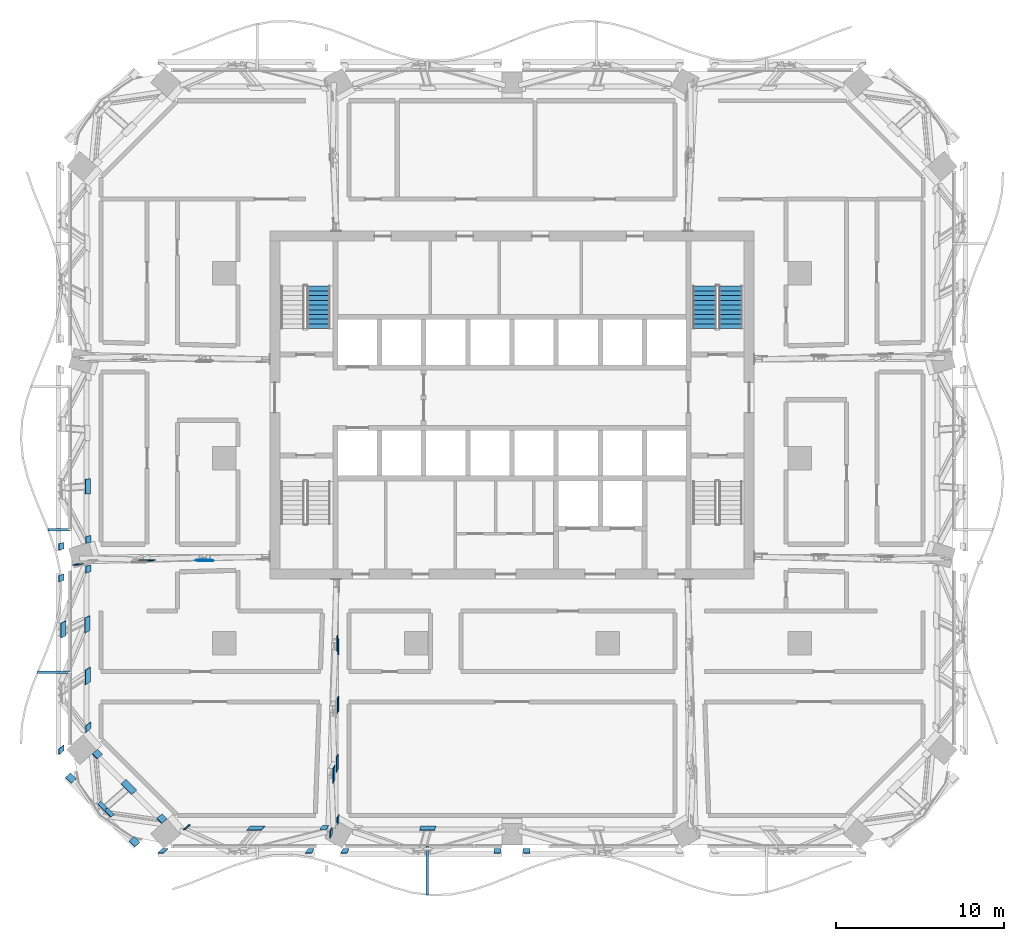
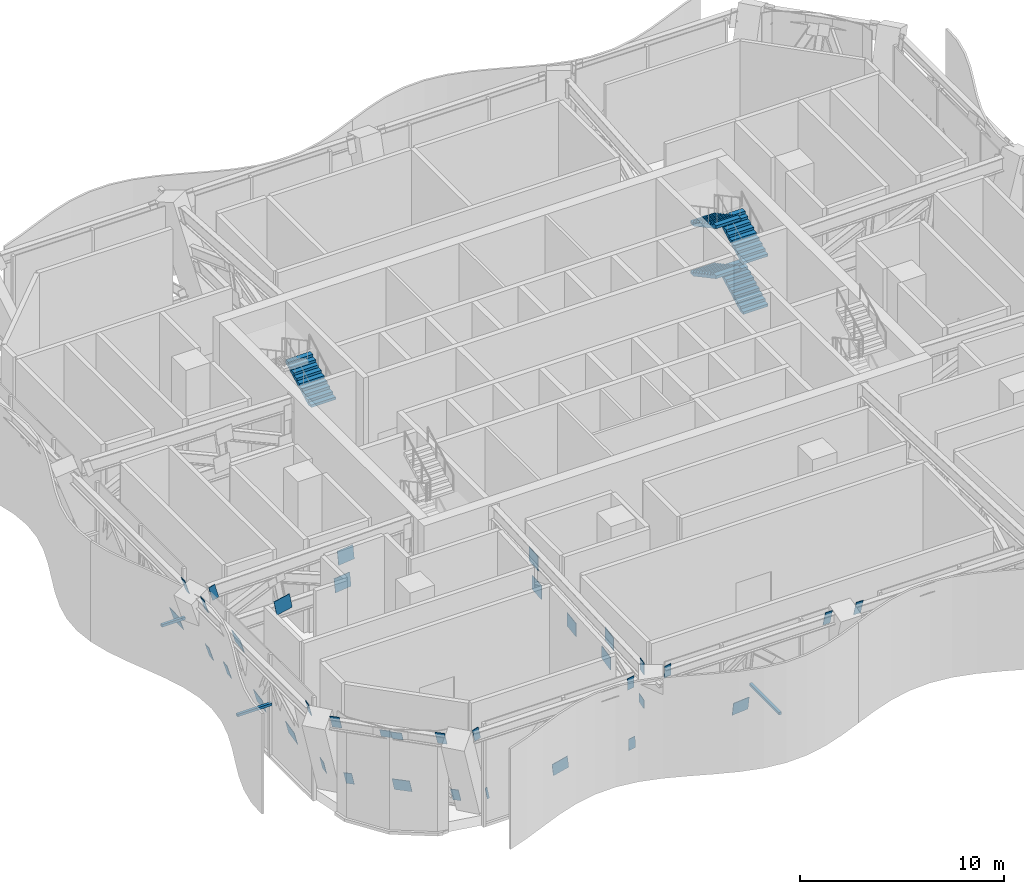
# One storey, part 12 of 26: 40 discrete accessories, 5 stair flights, 2 elements without a shape of their own.
"""IFC4 building model written with IfcOpenShell, lengths in metres."""

import ifcopenshell
import ifcopenshell.guid

model = None  # the IFC model being written
_history = None  # IfcOwnerHistory: only IFC2X3 demands one
_inside = {}  # id of a spatial element -> (the spatial element, [elements in it])
_under = {}  # id of a project, library or spatial element -> (it, [spatial elements below it])
_declared = {}  # id of a project -> (the project, [libraries it declares])
_typed = {}  # id of a type object -> (the type object, [elements of that type])
_made_of = {}  # id of a material, layer set ... -> (it, [elements and type objects made of it])


def new_model(schema):
    """Start an empty IFC model of exactly this schema.

    Asked for "IFC4X3", IfcOpenShell would pick the latest addendum, in which some entities
    have other attributes; the version numbers below select the first issue.
    IFC2X3 requires an IfcOwnerHistory on every rooted entity: one is made here for all.
    """
    global model, _history
    if schema == "IFC4X3":
        model = ifcopenshell.file(schema_version=(4, 3, 0, 0))
    else:
        model = ifcopenshell.file(schema=schema)
    _inside.clear()
    _under.clear()
    _declared.clear()
    _typed.clear()
    _made_of.clear()
    _history = None
    if model.schema == "IFC2X3":
        org = make("IfcOrganization", Name="unknown")
        user = make(
            "IfcPersonAndOrganization",
            ThePerson=make("IfcPerson", FamilyName="unknown"),
            TheOrganization=org,
        )
        app = make(
            "IfcApplication",
            ApplicationDeveloper=org,
            Version="unknown",
            ApplicationFullName="unknown",
            ApplicationIdentifier="unknown",
        )
        _history = make(
            "IfcOwnerHistory",
            OwningUser=user,
            OwningApplication=app,
            ChangeAction="ADDED",
            CreationDate=0,
        )
    return model


def make(cls, **values):
    """One entity of the class cls with the attributes given. An attribute that is None is left unset."""
    return model.create_entity(
        cls, **{name: value for name, value in values.items() if value is not None}
    )


def rooted(cls, **values):
    """An entity with a GlobalId (a new one), such as an element, a storey or a relation."""
    return make(cls, GlobalId=ifcopenshell.guid.new(), OwnerHistory=_history, **values)


def si_unit(unit_type, name, prefix=None):
    """IfcSIUnit, for example si_unit("LENGTHUNIT", "METRE", prefix="MILLI")."""
    return make("IfcSIUnit", UnitType=unit_type, Prefix=prefix, Name=name)


def assignment(units):
    """IfcUnitAssignment: the units of a project."""
    return None if units is None else make("IfcUnitAssignment", Units=units)


def point(xyz):
    """IfcCartesianPoint."""
    return None if xyz is None else make("IfcCartesianPoint", Coordinates=xyz)


def direction(xyz):
    """IfcDirection."""
    return None if xyz is None else make("IfcDirection", DirectionRatios=xyz)


def frame(location, z_axis=None, x_axis=None):
    """IfcAxis2Placement3D, a coordinate frame: its origin and axes. An axis left out is left unset."""
    return make(
        "IfcAxis2Placement3D",
        Location=point(location),
        Axis=direction(z_axis),
        RefDirection=direction(x_axis),
    )


def frame_2d(location, x_axis=None):
    """IfcAxis2Placement2D, a coordinate frame in the plane: its origin and x axis."""
    return make(
        "IfcAxis2Placement2D", Location=point(location), RefDirection=direction(x_axis)
    )


def origin():
    """The frame at (0, 0, 0) with its axes left unset."""
    return frame((0.0, 0.0, 0.0))


def origin_2d():
    """The frame at (0, 0) in the plane with its x axis left unset."""
    return frame_2d((0.0, 0.0))


def place(relative_to, where):
    """IfcLocalPlacement: puts the frame where relative to a parent placement (None: the world)."""
    return make(
        "IfcLocalPlacement", PlacementRelTo=relative_to, RelativePlacement=where
    )


def context(
    kind, dimensions, precision=None, world=None, true_north=None, identifier=None
):
    """IfcGeometricRepresentationContext, for example the 3D "Model" context."""
    return make(
        "IfcGeometricRepresentationContext",
        ContextIdentifier=identifier,
        ContextType=kind,
        CoordinateSpaceDimension=dimensions,
        Precision=precision,
        WorldCoordinateSystem=world,
        TrueNorth=true_north,
    )


def subcontext(parent, identifier, kind, view, scale=None):
    """IfcGeometricRepresentationSubContext, for example "Body" below "Model"."""
    return make(
        "IfcGeometricRepresentationSubContext",
        ContextIdentifier=identifier,
        ContextType=kind,
        ParentContext=parent,
        TargetScale=scale,
        TargetView=view,
    )


def project(units=None, contexts=None):
    """IfcProject with its units and contexts."""
    return rooted(
        "IfcProject",
        Name="project",
        RepresentationContexts=contexts,
        UnitsInContext=assignment(units),
    )


def spatial(cls, under=None, at=None, **own):
    """A site, building, storey or space (cls), placed at a placement, below another one or the project."""
    s = rooted(cls, ObjectPlacement=at, **own)
    if under is not None:
        _under.setdefault(under.id(), (under, []))[1].append(s)
    return s


def polyline(points):
    """IfcPolyline through the points."""
    return make("IfcPolyline", Points=[point(p) for p in points])


def profile(cls, at=None, kind="AREA", **sizes):
    """A parametric profile (cls). Its sizes go by their IFC names, for example OverallWidth=200.0."""
    return make(cls, ProfileType=kind, Position=at, **sizes)


def rectangle(**sizes):
    """IfcRectangleProfileDef."""
    return profile("IfcRectangleProfileDef", **sizes)


def outline(outer, holes=None, kind="AREA"):
    """IfcArbitraryClosedProfileDef: a profile drawn as a closed curve; with holes, ...WithVoids."""
    if holes is None:
        return make("IfcArbitraryClosedProfileDef", ProfileType=kind, OuterCurve=outer)
    return make(
        "IfcArbitraryProfileDefWithVoids",
        ProfileType=kind,
        OuterCurve=outer,
        InnerCurves=holes,
    )


def extrude(swept, where, along, depth):
    """IfcExtrudedAreaSolid: the profile swept, set in the frame where, extruded along a direction by depth."""
    return make(
        "IfcExtrudedAreaSolid",
        SweptArea=swept,
        Position=where,
        ExtrudedDirection=direction(along),
        Depth=depth,
    )


def shape(context_of_items, identifier, shape_type, items):
    """IfcShapeRepresentation: the items that make up one representation, for example the "Body"."""
    return make(
        "IfcShapeRepresentation",
        ContextOfItems=context_of_items,
        RepresentationIdentifier=identifier,
        RepresentationType=shape_type,
        Items=items,
    )


def material(Name=None, Category=None):
    """IfcMaterial."""
    return make("IfcMaterial", Name=Name, Category=Category)


def layer(
    of_material, thickness, ventilated=None, Name=None, Category=None, Priority=None
):
    """IfcMaterialLayer: one layer of a wall or slab, of a material (None: an air gap)."""
    return make(
        "IfcMaterialLayer",
        Material=of_material,
        LayerThickness=thickness,
        IsVentilated=ventilated,
        Name=Name,
        Category=Category,
        Priority=Priority,
    )


def layer_set(layers, Name=None):
    """IfcMaterialLayerSet."""
    return make("IfcMaterialLayerSet", MaterialLayers=layers, LayerSetName=Name)


def made_of(thing, what):
    """Note that an element or type object is made of a material, layer set ...; save() writes the relation."""
    if what is not None:
        _made_of.setdefault(what.id(), (what, []))[1].append(thing)
    return thing


def type_object(cls, material=None, **own):
    """A type object (cls), such as IfcWallType, which elements share."""
    return made_of(rooted(cls, **own), material)


def element(
    cls,
    number,
    at=None,
    inside=None,
    cuts=None,
    type_object=None,
    material=None,
    context=None,
    identifier="Body",
    shape_type=None,
    held_by="IfcProductDefinitionShape",
    body=None,
    shapes=None,
    **own,
):
    """One element of the class cls, such as IfcWall. Its Tag is "e" and its number.

    at: its placement. inside: the storey or other place that contains it. cuts: it is an
    opening in that element (IfcRelVoidsElement). A single representation is given by context,
    identifier, shape_type and body (its items); several are given by shapes. held_by: the class
    of the entity that holds the representations. save() writes the other relations.
    """
    e = rooted(cls, Tag="e%d" % number, ObjectPlacement=at, **own)
    if body is not None:
        shapes = [shape(context, identifier, shape_type, body)]
    if shapes is not None:
        e.Representation = make(held_by, Representations=shapes)
    if inside is not None:
        _inside.setdefault(inside.id(), (inside, []))[1].append(e)
    if cuts is not None:
        rooted(
            "IfcRelVoidsElement", RelatingBuildingElement=cuts, RelatedOpeningElement=e
        )
    if type_object is not None:
        _typed.setdefault(type_object.id(), (type_object, []))[1].append(e)
    return made_of(e, material)


def aggregate(whole, parts):
    """IfcRelAggregates: a whole, such as a stair, and the parts it consists of."""
    return rooted("IfcRelAggregates", RelatingObject=whole, RelatedObjects=parts)


def save(model, path):
    """Write the relations noted so far, then the file.

    IfcRelAggregates (storeys below a building ...), IfcRelContainedInSpatialStructure (elements
    in a storey), IfcRelDefinesByType, IfcRelAssociatesMaterial and IfcRelDeclares: one each for
    every whole, place, type object, material and project.
    """
    for whole, parts in _under.values():
        aggregate(whole, parts)
    for where, things in _inside.values():
        rooted(
            "IfcRelContainedInSpatialStructure",
            RelatedElements=things,
            RelatingStructure=where,
        )
    for kind, things in _typed.values():
        rooted("IfcRelDefinesByType", RelatedObjects=things, RelatingType=kind)
    for what, things in _made_of.values():
        rooted("IfcRelAssociatesMaterial", RelatedObjects=things, RelatingMaterial=what)
    for by, libraries in _declared.values():
        rooted("IfcRelDeclares", RelatingContext=by, RelatedDefinitions=libraries)
    model.write(path)


model = new_model("IFC4")

# Units and contexts
model_context = context("Model", 3, precision=1e-05, world=origin(), true_north=direction((0.0, 1.0)))
body_context = subcontext(model_context, "Body", "Model", "MODEL_VIEW")
ifc_project = project(units=[si_unit("LENGTHUNIT", "METRE"), si_unit("AREAUNIT", "SQUARE_METRE"), si_unit("VOLUMEUNIT", "CUBIC_METRE"), si_unit("PLANEANGLEUNIT", "RADIAN"), si_unit("MASSUNIT", "GRAM", prefix="KILO")], contexts=[model_context])

# Site, building, storey
site_placement = place(None, origin())
site = spatial("IfcSite", under=ifc_project, at=site_placement, CompositionType="ELEMENT")
building_placement = place(site_placement, origin())
building = spatial("IfcBuilding", under=site, at=building_placement, Name="Mopane Tessera Tower", CompositionType="ELEMENT")
storey_placement = place(building_placement, frame((0.0, 0.0, 205.0)))
storey = spatial("IfcBuildingStorey", under=building, at=storey_placement, Name="L43", CompositionType="ELEMENT", Elevation=205.0)

# Stair, stair flight
ifc_material_1 = material(Name="Concrete C50/60", Category="concrete")
stair_type = type_object("IfcStairType", Name="Escape stair 1400 mm, riser 150 mm", PredefinedType="HALF_TURN_STAIR", material=ifc_material_1)
stair_1_placement = place(storey_placement, origin())
stair_1 = element("IfcStair", 1, at=stair_1_placement, inside=storey, type_object=stair_type, Name="L43 Escape stair north-west", PredefinedType="HALF_TURN_STAIR")
ifc_material_2 = material(Name="Concrete C50/60", Category="concrete")
stair_flight_type = type_object("IfcStairFlightType", Name="Escape stair flight 1400 mm", PredefinedType="STRAIGHT", material=ifc_material_2)
stair_flight_1_placement = place(storey_placement, frame((-11.5, 7.699951171875, 3.0), z_axis=(0.0, 0.0, 1.0), x_axis=(0.0, 1.0, 0.0)))
stair_flight_1 = element("IfcStairFlight", 2, at=stair_flight_1_placement, type_object=stair_flight_type, Name="ST2 flight 3", NumberOfRisers=10, NumberOfTreads=9, PredefinedType="STRAIGHT", RiserHeight=0.15, TreadLength=0.28, context=body_context, shape_type="SweptSolid", body=[
    extrude(outline(polyline([(0.0, 0.0), (0.0, 0.14990234375), (0.280029296875, 0.14990234375), (0.280029296875, 0.300048828125), (0.56005859375, 0.300048828125), (0.56005859375, 0.449951171875), (0.840087890625, 0.449951171875), (0.840087890625, 0.60009765625), (1.1201171875, 0.60009765625), (1.1201171875, 0.75), (1.39990234375, 0.75), (1.39990234375, 0.89990234375), (1.679931640625, 0.89990234375), (1.679931640625, 1.050048828125), (1.9599609375, 1.050048828125), (1.9599609375, 1.199951171875), (2.239990234375, 1.199951171875), (2.239990234375, 1.35009765625), (2.52001953125, 1.35009765625), (2.52001953125, 1.5), (2.52001953125, 1.179931640625), (0.3173828125, 0.0), (0.0, 0.0)])), frame((0.0, 0.699951171875, 0.0), z_axis=(0.0, -1.0, 0.0), x_axis=(1.0, 0.0, 0.0)), (0.0, 0.0, 1.0), 1.39990234375),
])
aggregate(stair_1, [stair_flight_1])

# Stair, stair flights
stair_2_placement = place(storey_placement, origin())
stair_2 = element("IfcStair", 3, at=stair_2_placement, inside=storey, type_object=stair_type, Name="L43 Escape stair north-east", PredefinedType="HALF_TURN_STAIR")
stair_flight_2_placement = place(storey_placement, frame((13.0, 7.699951171875, 0.0), z_axis=(0.0, 0.0, 1.0), x_axis=(0.0, 1.0, 0.0)))
stair_flight_2 = element("IfcStairFlight", 4, at=stair_flight_2_placement, type_object=stair_flight_type, Name="ST4 flight 1", NumberOfRisers=10, NumberOfTreads=9, PredefinedType="STRAIGHT", RiserHeight=0.15, TreadLength=0.28, context=body_context, shape_type="SweptSolid", body=[
    extrude(outline(polyline([(0.0, 0.0), (0.0, 0.14990234375), (0.280029296875, 0.14990234375), (0.280029296875, 0.300048828125), (0.56005859375, 0.300048828125), (0.56005859375, 0.449951171875), (0.840087890625, 0.449951171875), (0.840087890625, 0.60009765625), (1.1201171875, 0.60009765625), (1.1201171875, 0.75), (1.39990234375, 0.75), (1.39990234375, 0.89990234375), (1.679931640625, 0.89990234375), (1.679931640625, 1.050048828125), (1.9599609375, 1.050048828125), (1.9599609375, 1.199951171875), (2.239990234375, 1.199951171875), (2.239990234375, 1.35009765625), (2.52001953125, 1.35009765625), (2.52001953125, 1.5), (2.52001953125, 1.179931640625), (0.3173828125, 0.0), (0.0, 0.0)])), frame((0.0, 0.699951171875, 0.0), z_axis=(0.0, -1.0, 0.0), x_axis=(1.0, 0.0, 0.0)), (0.0, 0.0, 1.0), 1.39990234375),
])
stair_flight_3_placement = place(storey_placement, frame((11.449951171875, 10.219970703125, 1.5), z_axis=(0.0, 0.0, 1.0), x_axis=(0.0, -1.0, 0.0)))
stair_flight_3 = element("IfcStairFlight", 5, at=stair_flight_3_placement, type_object=stair_flight_type, Name="ST4 flight 2", NumberOfRisers=10, NumberOfTreads=9, PredefinedType="STRAIGHT", RiserHeight=0.15, TreadLength=0.28, context=body_context, shape_type="SweptSolid", body=[
    extrude(outline(polyline([(0.0, 0.0), (0.0, 0.14990234375), (0.280029296875, 0.14990234375), (0.280029296875, 0.300048828125), (0.56005859375, 0.300048828125), (0.56005859375, 0.449951171875), (0.840087890625, 0.449951171875), (0.840087890625, 0.60009765625), (1.1201171875, 0.60009765625), (1.1201171875, 0.75), (1.39990234375, 0.75), (1.39990234375, 0.89990234375), (1.679931640625, 0.89990234375), (1.679931640625, 1.050048828125), (1.9599609375, 1.050048828125), (1.9599609375, 1.199951171875), (2.239990234375, 1.199951171875), (2.239990234375, 1.35009765625), (2.52001953125, 1.35009765625), (2.52001953125, 1.5), (2.52001953125, 1.179931640625), (0.3173828125, 0.0), (0.0, 0.0)])), frame((0.0, 0.699951171875, 0.0), z_axis=(0.0, -1.0, 0.0), x_axis=(1.0, 0.0, 0.0)), (0.0, 0.0, 1.0), 1.39990234375),
])
stair_flight_4_placement = place(storey_placement, frame((13.0, 7.699951171875, 3.0), z_axis=(0.0, 0.0, 1.0), x_axis=(0.0, 1.0, 0.0)))
stair_flight_4 = element("IfcStairFlight", 6, at=stair_flight_4_placement, type_object=stair_flight_type, Name="ST4 flight 3", NumberOfRisers=10, NumberOfTreads=9, PredefinedType="STRAIGHT", RiserHeight=0.15, TreadLength=0.28, context=body_context, shape_type="SweptSolid", body=[
    extrude(outline(polyline([(0.0, 0.0), (0.0, 0.14990234375), (0.280029296875, 0.14990234375), (0.280029296875, 0.300048828125), (0.56005859375, 0.300048828125), (0.56005859375, 0.449951171875), (0.840087890625, 0.449951171875), (0.840087890625, 0.60009765625), (1.1201171875, 0.60009765625), (1.1201171875, 0.75), (1.39990234375, 0.75), (1.39990234375, 0.89990234375), (1.679931640625, 0.89990234375), (1.679931640625, 1.050048828125), (1.9599609375, 1.050048828125), (1.9599609375, 1.199951171875), (2.239990234375, 1.199951171875), (2.239990234375, 1.35009765625), (2.52001953125, 1.35009765625), (2.52001953125, 1.5), (2.52001953125, 1.179931640625), (0.3173828125, 0.0), (0.0, 0.0)])), frame((0.0, 0.699951171875, 0.0), z_axis=(0.0, -1.0, 0.0), x_axis=(1.0, 0.0, 0.0)), (0.0, 0.0, 1.0), 1.39990234375),
])
stair_flight_5_placement = place(storey_placement, frame((11.449951171875, 10.219970703125, 4.5), z_axis=(0.0, 0.0, 1.0), x_axis=(0.0, -1.0, 0.0)))
stair_flight_5 = element("IfcStairFlight", 7, at=stair_flight_5_placement, type_object=stair_flight_type, Name="ST4 flight 4", NumberOfRisers=10, NumberOfTreads=9, PredefinedType="STRAIGHT", RiserHeight=0.15, TreadLength=0.28, context=body_context, shape_type="SweptSolid", body=[
    extrude(outline(polyline([(0.0, 0.0), (0.0, 0.14990234375), (0.280029296875, 0.14990234375), (0.280029296875, 0.300048828125), (0.56005859375, 0.300048828125), (0.56005859375, 0.449951171875), (0.840087890625, 0.449951171875), (0.840087890625, 0.60009765625), (1.1201171875, 0.60009765625), (1.1201171875, 0.75), (1.39990234375, 0.75), (1.39990234375, 0.89990234375), (1.679931640625, 0.89990234375), (1.679931640625, 1.050048828125), (1.9599609375, 1.050048828125), (1.9599609375, 1.199951171875), (2.239990234375, 1.199951171875), (2.239990234375, 1.35009765625), (2.52001953125, 1.35009765625), (2.52001953125, 1.5), (2.52001953125, 1.179931640625), (0.3173828125, 0.0), (0.0, 0.0)])), frame((0.0, 0.699951171875, 0.0), z_axis=(0.0, -1.0, 0.0), x_axis=(1.0, 0.0, 0.0)), (0.0, 0.0, 1.0), 1.39990234375),
])
aggregate(stair_2, [stair_flight_2, stair_flight_3, stair_flight_4, stair_flight_5])

# Discrete accessories
ifc_material_3 = material(Name="Stainless steel S316", Category="steel")
discrete_accessory_type_1 = type_object("IfcDiscreteAccessoryType", Name="Louvre bracket 150 x 150", PredefinedType="BRACKET", material=ifc_material_3)
discrete_accessory_1_placement = place(storey_placement, frame((-5.050048828125, -24.516845703125, 2.51513671875), z_axis=(0.0, 0.0, 1.0), x_axis=(0.0, -1.0, 0.0)))
element("IfcDiscreteAccessory", 8, at=discrete_accessory_1_placement, inside=storey, type_object=discrete_accessory_type_1, Name="e:lv:L43:S:0:br1", PredefinedType="BRACKET", context=body_context, shape_type="SweptSolid", body=[
    extrude(rectangle(XDim=2.913818359375, YDim=0.14990234375, at=origin_2d()), origin(), (0.0, 0.0, 1.0), 0.14990234375),
])
discrete_accessory_2_placement = place(storey_placement, frame((-26.9248046875, -4.25, 2.51513671875), z_axis=(0.0, 0.0, 1.0), x_axis=(-1.0, 0.0, 0.0)))
element("IfcDiscreteAccessory", 9, at=discrete_accessory_2_placement, inside=storey, type_object=discrete_accessory_type_1, Name="e:lv:L43:W:1:br0", PredefinedType="BRACKET", context=body_context, shape_type="SweptSolid", body=[
    extrude(rectangle(XDim=1.32958984375, YDim=0.14990234375, at=origin_2d()), origin(), (0.0, 0.0, 1.0), 0.14990234375),
])
discrete_accessory_3_placement = place(storey_placement, frame((-27.234130859375, -12.75, 2.51513671875), z_axis=(0.0, 0.0, 1.0), x_axis=(-1.0, 0.0, 0.0)))
element("IfcDiscreteAccessory", 10, at=discrete_accessory_3_placement, inside=storey, type_object=discrete_accessory_type_1, Name="e:lv:L43:W:1:br1", PredefinedType="BRACKET", context=body_context, shape_type="SweptSolid", body=[
    extrude(rectangle(XDim=1.948486328125, YDim=0.14990234375, at=origin_2d()), origin(), (0.0, 0.0, 1.0), 0.14990234375),
])
ifc_material_4 = material(Name="Structural steel S460", Category="steel")
ifc_layer = layer(ifc_material_4, 0.030029296875)
ifc_layer_set = layer_set([ifc_layer], Name="Structural steel S460")
discrete_accessory_type_2 = type_object("IfcDiscreteAccessoryType", Name="Truss node plate 30 mm", PredefinedType="BRACKET", material=ifc_layer_set)
discrete_accessory_4_placement = place(storey_placement, frame((-18.171142578125, -6.100830078125, 4.209228515625), z_axis=(-0.102237191978, -0.029673063635, 0.99431738689), x_axis=(0.005140786148, -0.999557418116, -0.029300856767)))
element("IfcDiscreteAccessory", 11, at=discrete_accessory_4_placement, inside=storey, type_object=discrete_accessory_type_2, Name="Truss node plate s ot L43 W2 2", PredefinedType="BRACKET", context=body_context, shape_type="SweptSolid", body=[
    extrude(rectangle(XDim=0.030029296875, YDim=0.89990234375, at=origin_2d()), origin(), (0.0, 0.0, 1.0), 0.905029296875),
])
discrete_accessory_5_placement = place(storey_placement, frame((-18.322265625, -6.053466796875, 2.5908203125), z_axis=(-0.111290579422, -0.032336245837, 0.993261684622), x_axis=(0.005989638828, -0.999474158771, -0.031867384215)))
element("IfcDiscreteAccessory", 12, at=discrete_accessory_5_placement, inside=storey, type_object=discrete_accessory_type_2, Name="Truss node plate s ot L43 W2 3", PredefinedType="BRACKET", context=body_context, shape_type="SweptSolid", body=[
    extrude(rectangle(XDim=0.030029296875, YDim=0.89990234375, at=origin_2d()), origin(), (0.0, 0.0, 1.0), 0.906005859375),
])
discrete_accessory_6_placement = place(storey_placement, frame((-21.66015625, -6.0595703125, 2.464111328125), z_axis=(-0.203615446332, -0.059387838514, 0.977248092683), x_axis=(0.015408544142, -0.998229330653, -0.057452416757)))
element("IfcDiscreteAccessory", 13, at=discrete_accessory_6_placement, inside=storey, type_object=discrete_accessory_type_2, Name="Truss node plate s ot L43 W2 5", PredefinedType="BRACKET", context=body_context, shape_type="SweptSolid", body=[
    extrude(rectangle(XDim=0.030029296875, YDim=0.89990234375, at=origin_2d()), origin(), (0.0, 0.0, 1.0), 0.9208984375),
])
discrete_accessory_7_placement = place(storey_placement, frame((-25.678466796875, -6.271484375, 4.742919921875), z_axis=(-0.289620946604, -0.084300382672, 0.953421812615), x_axis=(0.027152306449, -0.996436565638, -0.079855637965)))
element("IfcDiscreteAccessory", 14, at=discrete_accessory_7_placement, inside=storey, type_object=discrete_accessory_type_2, Name="Truss node plate s ot L43 W2 8", PredefinedType="BRACKET", context=body_context, shape_type="SweptSolid", body=[
    extrude(rectangle(XDim=0.030029296875, YDim=0.35888671875, at=origin_2d()), origin(), (0.0, 0.0, 1.0), 0.944091796875),
])
discrete_accessory_8_placement = place(storey_placement, frame((-10.36669921875, -10.986328125, 4.208251953125), z_axis=(-0.039204212235, -0.068674964881, 0.996868486282), x_axis=(0.999223472332, -0.006622842545, 0.038840575395)))
element("IfcDiscreteAccessory", 15, at=discrete_accessory_8_placement, inside=storey, type_object=discrete_accessory_type_2, Name="Truss node plate s ot L43 S1 2", PredefinedType="BRACKET", context=body_context, shape_type="SweptSolid", body=[
    extrude(rectangle(XDim=0.030029296875, YDim=0.89990234375, at=origin_2d()), origin(), (0.0, 0.0, 1.0), 0.903076171875),
])
discrete_accessory_9_placement = place(storey_placement, frame((-10.3046875, -11.189453125, 2.591552734375), z_axis=(-0.042425004833, -0.074581537159, 0.996312056175), x_axis=(0.999096751727, -0.005570656154, 0.042126576871)))
element("IfcDiscreteAccessory", 16, at=discrete_accessory_9_placement, inside=storey, type_object=discrete_accessory_type_2, Name="Truss node plate s ot L43 S1 3", PredefinedType="BRACKET", context=body_context, shape_type="SweptSolid", body=[
    extrude(rectangle(XDim=0.030029296875, YDim=0.89990234375, at=origin_2d()), origin(), (0.0, 0.0, 1.0), 0.903564453125),
])
discrete_accessory_10_placement = place(storey_placement, frame((-10.3125, -14.60546875, 2.464111328125), z_axis=(-0.078488235568, -0.137421381728, 0.987398076118), x_axis=(0.996906532414, -0.014911108898, 0.077168804974)))
element("IfcDiscreteAccessory", 17, at=discrete_accessory_10_placement, inside=storey, type_object=discrete_accessory_type_2, Name="Truss node plate s ot L43 S1 5", PredefinedType="BRACKET", context=body_context, shape_type="SweptSolid", body=[
    extrude(rectangle(XDim=0.030029296875, YDim=0.89990234375, at=origin_2d()), origin(), (0.0, 0.0, 1.0), 0.911376953125),
])
discrete_accessory_11_placement = place(storey_placement, frame((-10.3408203125, -18.05712890625, 2.591552734375), z_axis=(-0.113285674256, -0.198051878071, 0.973623032596), x_axis=(0.993551291372, -0.027227287502, 0.110065917649)))
element("IfcDiscreteAccessory", 18, at=discrete_accessory_11_placement, inside=storey, type_object=discrete_accessory_type_2, Name="Truss node plate s ot L43 S1 7", PredefinedType="BRACKET", context=body_context, shape_type="SweptSolid", body=[
    extrude(rectangle(XDim=0.030029296875, YDim=0.89990234375, at=origin_2d()), origin(), (0.0, 0.0, 1.0), 0.924560546875),
])
discrete_accessory_12_placement = place(storey_placement, frame((-10.53564453125, -18.704833984375, 4.205810546875), z_axis=(-0.116306378156, -0.203602095093, 0.972120884085), x_axis=(0.99320479379, -0.027912582528, 0.112982854137)))
element("IfcDiscreteAccessory", 19, at=discrete_accessory_12_placement, inside=storey, type_object=discrete_accessory_type_2, Name="Truss node plate s ot L43 S1 8", PredefinedType="BRACKET", context=body_context, shape_type="SweptSolid", body=[
    extrude(rectangle(XDim=0.030029296875, YDim=0.89990234375, at=origin_2d()), origin(), (0.0, 0.0, 1.0), 0.92578125),
])
discrete_accessory_13_placement = place(storey_placement, frame((-10.295654296875, -21.443603515625, 2.17822265625), z_axis=(-0.146837410488, -0.257142808222, 0.955152527642), x_axis=(0.989152854314, -0.042003237561, 0.140756381157)))
element("IfcDiscreteAccessory", 20, at=discrete_accessory_13_placement, inside=storey, type_object=discrete_accessory_type_2, Name="Truss node plate s ot L43 S1 9", PredefinedType="BRACKET", context=body_context, shape_type="SweptSolid", body=[
    extrude(rectangle(XDim=0.030029296875, YDim=0.489990234375, at=origin_2d()), origin(), (0.0, 0.0, 1.0), 0.688232421875),
])
discrete_accessory_14_placement = place(storey_placement, frame((-10.691162109375, -22.1767578125, 4.742919921875), z_axis=(-0.147369002194, -0.257701506473, 0.95492005464), x_axis=(0.989071218611, -0.042815790962, 0.141084841709)))
element("IfcDiscreteAccessory", 21, at=discrete_accessory_14_placement, inside=storey, type_object=discrete_accessory_type_2, Name="Truss node plate s ot L43 S1 10", PredefinedType="BRACKET", context=body_context, shape_type="SweptSolid", body=[
    extrude(rectangle(XDim=0.030029296875, YDim=0.40771484375, at=origin_2d()), origin(), (0.0, 0.0, 1.0), 0.942626953125),
])
discrete_accessory_15_placement = place(storey_placement, frame((-19.19775390625, -21.8134765625, -0.0654296875), z_axis=(-0.291261551796, -0.267841033517, 0.918383301901), x_axis=(-0.080924919225, 0.963463117442, 0.255323282875)))
element("IfcDiscreteAccessory", 22, at=discrete_accessory_15_placement, inside=storey, type_object=discrete_accessory_type_2, Name="Truss node plate s bt L43 S0-S1 0", PredefinedType="BRACKET", context=body_context, shape_type="SweptSolid", body=[
    extrude(rectangle(XDim=0.030029296875, YDim=0.122314453125, at=origin_2d()), origin(), (0.0, 0.0, 1.0), 0.97998046875),
])
discrete_accessory_16_placement = place(storey_placement, frame((-20.630615234375, -23.244140625, 4.840087890625), z_axis=(-0.289892551992, -0.267957431979, 0.918782413277), x_axis=(-0.080179549136, 0.963430646182, 0.255680718666)))
element("IfcDiscreteAccessory", 23, at=discrete_accessory_16_placement, inside=storey, type_object=discrete_accessory_type_2, Name="Truss node plate s bt L43 S0-S1 1", PredefinedType="BRACKET", context=body_context, shape_type="SweptSolid", body=[
    extrude(rectangle(XDim=0.030029296875, YDim=0.350830078125, at=origin_2d()), origin(), (0.0, 0.0, 1.0), 0.9794921875),
])
discrete_accessory_17_placement = place(storey_placement, frame((-15.121337890625, -21.882080078125, 0.169921875), z_axis=(-0.232241351768, -0.272256764613, 0.933777387096), x_axis=(-0.065795997042, 0.962224634434, 0.264186751486)))
element("IfcDiscreteAccessory", 24, at=discrete_accessory_17_placement, inside=storey, type_object=discrete_accessory_type_2, Name="Truss node plate s bt L43 S0-S1 3", PredefinedType="BRACKET", context=body_context, shape_type="SweptSolid", body=[
    extrude(rectangle(XDim=0.030029296875, YDim=0.89990234375, at=origin_2d()), origin(), (0.0, 0.0, 1.0), 0.9638671875),
])
discrete_accessory_18_placement = place(storey_placement, frame((-11.081298828125, -21.8544921875, 0.07568359375), z_axis=(-0.172636185559, -0.276012683004, 0.945523001442), x_axis=(-0.050053783134, 0.961153879733, 0.271436619247)))
element("IfcDiscreteAccessory", 25, at=discrete_accessory_18_placement, inside=storey, type_object=discrete_accessory_type_2, Name="Truss node plate s bt L43 S0-S1 5", PredefinedType="BRACKET", context=body_context, shape_type="SweptSolid", body=[
    extrude(rectangle(XDim=0.030029296875, YDim=0.37939453125, at=origin_2d()), origin(), (0.0, 0.0, 1.0), 0.95166015625),
])
discrete_accessory_19_placement = place(storey_placement, frame((-11.94775390625, -23.244140625, 4.840087890625), z_axis=(-0.172648404171, -0.27577568274, 0.945589922401), x_axis=(-0.049475849014, 0.961222018936, 0.271301254468)))
element("IfcDiscreteAccessory", 26, at=discrete_accessory_19_placement, inside=storey, type_object=discrete_accessory_type_2, Name="Truss node plate s bt L43 S0-S1 6", PredefinedType="BRACKET", context=body_context, shape_type="SweptSolid", body=[
    extrude(rectangle(XDim=0.030029296875, YDim=0.37255859375, at=origin_2d()), origin(), (0.0, 0.0, 1.0), 0.95166015625),
])
discrete_accessory_20_placement = place(storey_placement, frame((-9.865966796875, -23.244140625, 4.840087890625), z_axis=(-0.14306097607, -0.277100088784, 0.950131095124), x_axis=(-0.04176472503, 0.960840932825, 0.273935046228)))
element("IfcDiscreteAccessory", 27, at=discrete_accessory_20_placement, inside=storey, type_object=discrete_accessory_type_2, Name="Truss node plate s bt L43 S1-S2 1", PredefinedType="BRACKET", context=body_context, shape_type="SweptSolid", body=[
    extrude(rectangle(XDim=0.030029296875, YDim=0.37255859375, at=origin_2d()), origin(), (0.0, 0.0, 1.0), 0.947021484375),
])
discrete_accessory_21_placement = place(storey_placement, frame((-4.975341796875, -21.882080078125, 0.169921875), z_axis=(-0.078393186166, -0.279048593142, 0.957071779455), x_axis=(-0.022567448017, 0.960276960341, 0.278134625187)))
element("IfcDiscreteAccessory", 28, at=discrete_accessory_21_placement, inside=storey, type_object=discrete_accessory_type_2, Name="Truss node plate s bt L43 S1-S2 4", PredefinedType="BRACKET", context=body_context, shape_type="SweptSolid", body=[
    extrude(rectangle(XDim=0.030029296875, YDim=0.89990234375, at=origin_2d()), origin(), (0.0, 0.0, 1.0), 0.9404296875),
])
for number, where, z_axis, x_axis, name in (
    (29, (-0.864013671875, -23.244140625, 4.840087890625), (-0.012760839854, -0.279957200883, 0.9599276674), (-0.003394473348, 0.960012430761, 0.279936797036), "Truss node plate s bt L43 S1-S2 7"),
    (30, (0.864013671875, -23.244140625, 4.840087890625), (0.012760839854, -0.279957200883, 0.9599276674), (0.003394473348, 0.960012430761, 0.279936797036), "Truss node plate s bt L43 S2-S3 1"),
):
    element("IfcDiscreteAccessory", number, at=place(storey_placement, frame(where, z_axis=z_axis, x_axis=x_axis)), inside=storey, type_object=discrete_accessory_type_2, Name=name, PredefinedType="BRACKET", context=body_context, shape_type="SweptSolid", body=[
        extrude(rectangle(XDim=0.030029296875, YDim=0.3994140625, at=origin_2d()), origin(), (0.0, 0.0, 1.0), 0.9375),
    ])
discrete_accessory_22_placement = place(storey_placement, frame((-25.089111328125, -1.671875, 0.169921875), z_axis=(-0.316110212466, -0.027264184314, 0.948330637398), x_axis=(0.94872236696, -0.008608422695, 0.315993299753)))
element("IfcDiscreteAccessory", 31, at=discrete_accessory_22_placement, inside=storey, type_object=discrete_accessory_type_2, Name="Truss node plate s bt L43 W1-W2 5", PredefinedType="BRACKET", context=body_context, shape_type="SweptSolid", body=[
    extrude(rectangle(XDim=0.030029296875, YDim=0.89990234375, at=origin_2d()), origin(), (0.0, 0.0, 1.0), 0.94921875),
])
discrete_accessory_23_placement = place(storey_placement, frame((-25.052978515625, -4.800537109375, 0.061279296875), z_axis=(-0.31511647287, -0.077752680195, 0.945862637622), x_axis=(0.949053004548, -0.02587473947, 0.314052372091)))
element("IfcDiscreteAccessory", 32, at=discrete_accessory_23_placement, inside=storey, type_object=discrete_accessory_type_2, Name="Truss node plate s bt L43 W1-W2 7", PredefinedType="BRACKET", context=body_context, shape_type="SweptSolid", body=[
    extrude(rectangle(XDim=0.030029296875, YDim=0.404052734375, at=origin_2d()), origin(), (0.0, 0.0, 1.0), 0.951416015625),
])
discrete_accessory_24_placement = place(storey_placement, frame((-26.645751953125, -5.20361328125, 4.840087890625), z_axis=(-0.315341272413, -0.078001421329, 0.945767233617), x_axis=(0.948978331529, -0.025824420205, 0.314282079682)))
element("IfcDiscreteAccessory", 33, at=discrete_accessory_24_placement, inside=storey, type_object=discrete_accessory_type_2, Name="Truss node plate s bt L43 W1-W2 8", PredefinedType="BRACKET", context=body_context, shape_type="SweptSolid", body=[
    extrude(rectangle(XDim=0.030029296875, YDim=0.38525390625, at=origin_2d()), origin(), (0.0, 0.0, 1.0), 0.951416015625),
])
discrete_accessory_25_placement = place(storey_placement, frame((-25.05224609375, -6.5458984375, 0.0595703125), z_axis=(-0.314524621974, -0.105950523594, 0.943317946783), x_axis=(0.949249268505, -0.034794396489, 0.312594267728)))
element("IfcDiscreteAccessory", 34, at=discrete_accessory_25_placement, inside=storey, type_object=discrete_accessory_type_2, Name="Truss node plate s bt L43 W2-W3 0", PredefinedType="BRACKET", context=body_context, shape_type="SweptSolid", body=[
    extrude(rectangle(XDim=0.030029296875, YDim=0.406494140625, at=origin_2d()), origin(), (0.0, 0.0, 1.0), 0.953857421875),
])
discrete_accessory_26_placement = place(storey_placement, frame((-26.645751953125, -7.07080078125, 4.840087890625), z_axis=(-0.314533140282, -0.105697466995, 0.943343494776), x_axis=(0.949246490995, -0.034965575917, 0.312583601351)))
element("IfcDiscreteAccessory", 35, at=discrete_accessory_26_placement, inside=storey, type_object=discrete_accessory_type_2, Name="Truss node plate s bt L43 W2-W3 1", PredefinedType="BRACKET", context=body_context, shape_type="SweptSolid", body=[
    extrude(rectangle(XDim=0.030029296875, YDim=0.38525390625, at=origin_2d()), origin(), (0.0, 0.0, 1.0), 0.953857421875),
])
discrete_accessory_27_placement = place(storey_placement, frame((-26.527587890625, -10.12060546875, 4.4853515625), z_axis=(-0.312597732563, -0.151084664884, 0.93779319769), x_axis=(0.949885560871, -0.050012275486, 0.308571213092)))
element("IfcDiscreteAccessory", 36, at=discrete_accessory_27_placement, inside=storey, type_object=discrete_accessory_type_2, Name="Truss node plate s bt L43 W2-W3 2", PredefinedType="BRACKET", context=body_context, shape_type="SweptSolid", body=[
    extrude(rectangle(XDim=0.030029296875, YDim=0.89990234375, at=origin_2d()), origin(), (0.0, 0.0, 1.0), 0.9599609375),
])
discrete_accessory_28_placement = place(storey_placement, frame((-25.1025390625, -9.800048828125, 0.21044921875), z_axis=(-0.312304018227, -0.157041402168, 0.93691205468), x_axis=(0.94998218524, -0.051399649972, 0.30804532736)))
element("IfcDiscreteAccessory", 37, at=discrete_accessory_28_placement, inside=storey, type_object=discrete_accessory_type_2, Name="Truss node plate s bt L43 W2-W3 3", PredefinedType="BRACKET", context=body_context, shape_type="SweptSolid", body=[
    extrude(rectangle(XDim=0.030029296875, YDim=0.89990234375, at=origin_2d()), origin(), (0.0, 0.0, 1.0), 0.960693359375),
])
discrete_accessory_29_placement = place(storey_placement, frame((-25.089111328125, -12.86474609375, 0.169921875), z_axis=(-0.309559699619, -0.204274138642, 0.928679098857), x_axis=(0.95087998129, -0.066739286844, 0.302279884832)))
element("IfcDiscreteAccessory", 38, at=discrete_accessory_29_placement, inside=storey, type_object=discrete_accessory_type_2, Name="Truss node plate s bt L43 W2-W3 5", PredefinedType="BRACKET", context=body_context, shape_type="SweptSolid", body=[
    extrude(rectangle(XDim=0.030029296875, YDim=0.89990234375, at=origin_2d()), origin(), (0.0, 0.0, 1.0), 0.96923828125),
])
discrete_accessory_30_placement = place(storey_placement, frame((-25.05224609375, -15.884033203125, 0.0595703125), z_axis=(-0.306265350978, -0.249946417438, 0.918546854113), x_axis=(0.951946117065, -0.080772490042, 0.295422401075)))
element("IfcDiscreteAccessory", 39, at=discrete_accessory_30_placement, inside=storey, type_object=discrete_accessory_type_2, Name="Truss node plate s bt L43 W2-W3 7", PredefinedType="BRACKET", context=body_context, shape_type="SweptSolid", body=[
    extrude(rectangle(XDim=0.030029296875, YDim=0.406494140625, at=origin_2d()), origin(), (0.0, 0.0, 1.0), 0.979736328125),
])
discrete_accessory_31_placement = place(storey_placement, frame((-26.645751953125, -17.218994140625, 4.840087890625), z_axis=(-0.306227167778, -0.250413591226, 0.918432335583), x_axis=(0.951958408727, -0.080889122832, 0.295350872458)))
element("IfcDiscreteAccessory", 40, at=discrete_accessory_31_placement, inside=storey, type_object=discrete_accessory_type_2, Name="Truss node plate s bt L43 W2-W3 8", PredefinedType="BRACKET", context=body_context, shape_type="SweptSolid", body=[
    extrude(rectangle(XDim=0.030029296875, YDim=0.34423828125, at=origin_2d()), origin(), (0.0, 0.0, 1.0), 0.979736328125),
])
discrete_accessory_32_placement = place(storey_placement, frame((-24.516357421875, -17.479736328125, 0.052490234375), z_axis=(-0.304558302803, -0.266612520776, 0.914418943351), x_axis=(0.638310608004, 0.65542962011, 0.403697387645)))
element("IfcDiscreteAccessory", 41, at=discrete_accessory_32_placement, inside=storey, type_object=discrete_accessory_type_2, Name="Truss node plate s bt L43 W3-S0 0", PredefinedType="BRACKET", context=body_context, shape_type="SweptSolid", body=[
    extrude(rectangle(XDim=0.030029296875, YDim=0.416259765625, at=origin_2d()), origin(), (0.0, 0.0, 1.0), 0.984375),
])
discrete_accessory_33_placement = place(storey_placement, frame((-26.0859375, -18.902099609375, 4.840087890625), z_axis=(-0.304852408885, -0.266652839342, 0.914309177504), x_axis=(0.638492556559, 0.655099995462, 0.403944613981)))
element("IfcDiscreteAccessory", 42, at=discrete_accessory_33_placement, inside=storey, type_object=discrete_accessory_type_2, Name="Truss node plate s bt L43 W3-S0 1", PredefinedType="BRACKET", context=body_context, shape_type="SweptSolid", body=[
    extrude(rectangle(XDim=0.030029296875, YDim=0.489990234375, at=origin_2d()), origin(), (0.0, 0.0, 1.0), 0.984130859375),
])
discrete_accessory_34_placement = place(storey_placement, frame((-24.26953125, -20.609130859375, 4.6650390625), z_axis=(-0.305008152946, -0.266781537471, 0.914219687986), x_axis=(0.638434539417, 0.655032303697, 0.404146037953)))
element("IfcDiscreteAccessory", 43, at=discrete_accessory_34_placement, inside=storey, type_object=discrete_accessory_type_2, Name="Truss node plate s bt L43 W3-S0 2", PredefinedType="BRACKET", context=body_context, shape_type="SweptSolid", body=[
    extrude(rectangle(XDim=0.030029296875, YDim=0.5546875, at=origin_2d()), origin(), (0.0, 0.0, 1.0), 0.606689453125),
])
discrete_accessory_35_placement = place(storey_placement, frame((-22.63818359375, -19.43115234375, 0.169921875), z_axis=(-0.304783284444, -0.266592376548, 0.914349853333), x_axis=(0.638523091809, 0.655126704489, 0.403853020656)))
element("IfcDiscreteAccessory", 44, at=discrete_accessory_35_placement, inside=storey, type_object=discrete_accessory_type_2, Name="Truss node plate s bt L43 W3-S0 3", PredefinedType="BRACKET", context=body_context, shape_type="SweptSolid", body=[
    extrude(rectangle(XDim=0.030029296875, YDim=0.89990234375, at=origin_2d()), origin(), (0.0, 0.0, 1.0), 0.984375),
])
discrete_accessory_36_placement = place(storey_placement, frame((-23.85791015625, -20.997314453125, 4.627685546875), z_axis=(-0.304755267631, -0.2669124735, 0.914265802894), x_axis=(0.638040447328, 0.655480161495, 0.404042257023)))
element("IfcDiscreteAccessory", 45, at=discrete_accessory_36_placement, inside=storey, type_object=discrete_accessory_type_2, Name="Truss node plate s bt L43 W3-S0 4", PredefinedType="BRACKET", context=body_context, shape_type="SweptSolid", body=[
    extrude(rectangle(XDim=0.030029296875, YDim=0.5546875, at=origin_2d()), origin(), (0.0, 0.0, 1.0), 0.6064453125),
])
discrete_accessory_37_placement = place(storey_placement, frame((-20.681884765625, -21.314208984375, 0.052490234375), z_axis=(-0.304783284444, -0.266592376548, 0.914349853333), x_axis=(0.638523091809, 0.655126704489, 0.403853020656)))
element("IfcDiscreteAccessory", 46, at=discrete_accessory_37_placement, inside=storey, type_object=discrete_accessory_type_2, Name="Truss node plate s bt L43 W3-S0 5", PredefinedType="BRACKET", context=body_context, shape_type="SweptSolid", body=[
    extrude(rectangle(XDim=0.030029296875, YDim=0.416259765625, at=origin_2d()), origin(), (0.0, 0.0, 1.0), 0.984375),
])
discrete_accessory_38_placement = place(storey_placement, frame((-22.3037109375, -22.684326171875, 4.840087890625), z_axis=(-0.304832237653, -0.266883228409, 0.914248680219), x_axis=(0.638145226429, 0.655354393467, 0.404080795076)))
element("IfcDiscreteAccessory", 47, at=discrete_accessory_38_placement, inside=storey, type_object=discrete_accessory_type_2, Name="Truss node plate s bt L43 W3-S0 6", PredefinedType="BRACKET", context=body_context, shape_type="SweptSolid", body=[
    extrude(rectangle(XDim=0.030029296875, YDim=0.489990234375, at=origin_2d()), origin(), (0.0, 0.0, 1.0), 0.984375),
])

save(model, "model.ifc")
